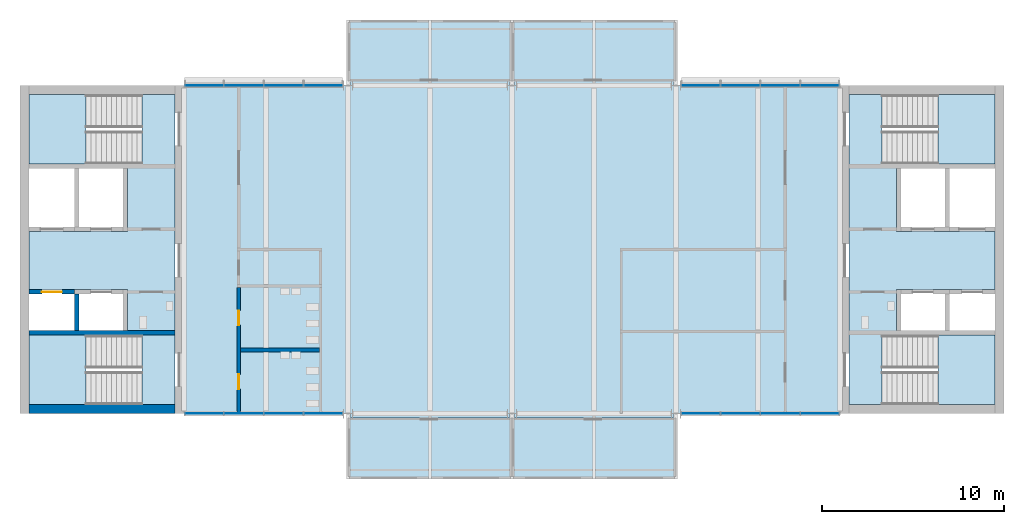
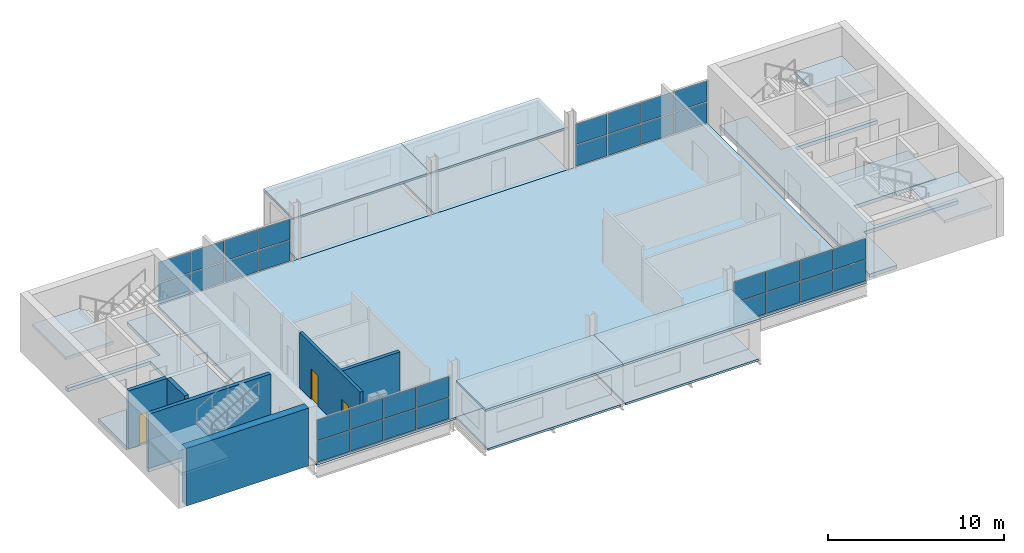
# One storey, part 4 of 10: 32 plates, 15 slabs, 6 walls, 3 doors, 3 openings, 8 elements without a shape of their own.
"""IFC4 building model written with IfcOpenShell, lengths in metres."""

from ifc_helpers import new_model, si_unit, direction, frame, frame_2d, origin, origin_2d, place, context, subcontext, project, spatial, polyline, rectangle, outline, extrude, material, layer, layer_set, type_object, element, fill, aggregate, save


model = new_model("IFC4")

# Units and contexts
model_context = context("Model", 3, precision=1e-05, world=origin(), true_north=direction((0.0, 1.0)))
body_context = subcontext(model_context, "Body", "Model", "MODEL_VIEW")
ifc_project = project(units=[si_unit("LENGTHUNIT", "METRE"), si_unit("AREAUNIT", "SQUARE_METRE"), si_unit("VOLUMEUNIT", "CUBIC_METRE"), si_unit("PLANEANGLEUNIT", "RADIAN"), si_unit("MASSUNIT", "GRAM", prefix="KILO")], contexts=[model_context])

# Site, building, storey
site_placement = place(None, origin())
site = spatial("IfcSite", under=ifc_project, at=site_placement, CompositionType="ELEMENT")
building_placement = place(site_placement, origin())
building = spatial("IfcBuilding", under=site, at=building_placement, Name="Corbel Yard City Hall", CompositionType="ELEMENT")
storey_placement = place(building_placement, frame((0.0, 0.0, 23.199951171875)))
storey = spatial("IfcBuildingStorey", under=building, at=storey_placement, Name="L05", CompositionType="ELEMENT", Elevation=23.199951171875)

# Slabs
ifc_material_1 = material(Name="Concrete N40 (40 MPa)", Category="concrete")
ifc_layer_1 = layer(ifc_material_1, 0.25)
ifc_layer_set_1 = layer_set([ifc_layer_1], Name="Concrete N40 (40 MPa)")
slab_type_1 = type_object("IfcSlabType", Name="CF1", PredefinedType="FLOOR", material=ifc_layer_set_1)
slab_1_placement = place(storey_placement, frame((0.0, 0.0, -0.25)))
element("IfcSlab", 1, at=slab_1_placement, inside=storey, type_object=slab_type_1, Name="Core floor slab", PredefinedType="FLOOR", context=body_context, shape_type="SweptSolid", body=[
    extrude(outline(polyline([(8.5, 116.5), (6.698974609375, 116.5), (6.698974609375, 112.699951171875), (0.5, 112.699951171875), (0.5, 112.449951171875), (5.89990234375, 112.449951171875), (5.89990234375, 109.0), (0.5, 109.0), (0.5, 105.800048828125), (5.89990234375, 105.800048828125), (5.89990234375, 103.550048828125), (0.5, 103.550048828125), (0.5, 103.300048828125), (6.698974609375, 103.300048828125), (6.698974609375, 99.5), (8.5, 99.5), (8.5, 116.5)])), origin(), (0.0, 0.0, 1.0), 0.25),
])
slab_2_placement = place(storey_placement, frame((0.0, 0.0, -0.25)))
element("IfcSlab", 2, at=slab_2_placement, inside=storey, type_object=slab_type_1, Name="Core floor slab", PredefinedType="FLOOR", context=body_context, shape_type="SweptSolid", body=[
    extrude(outline(polyline([(53.5, 103.300048828125), (53.5, 103.550048828125), (48.10009765625, 103.550048828125), (48.10009765625, 105.800048828125), (53.5, 105.800048828125), (53.5, 109.0), (48.10009765625, 109.0), (48.10009765625, 112.449951171875), (53.5, 112.449951171875), (53.5, 112.699951171875), (47.301025390625, 112.699951171875), (47.301025390625, 116.5), (45.5, 116.5), (45.5, 99.5), (47.301025390625, 99.5), (47.301025390625, 103.300048828125), (53.5, 103.300048828125)])), origin(), (0.0, 0.0, 1.0), 0.25),
])
ifc_layer_2 = layer(ifc_material_1, 0.14990234375)
ifc_layer_set_2 = layer_set([ifc_layer_2], Name="Concrete N40 (40 MPa)")
slab_type_2 = type_object("IfcSlabType", Name="Floor slab 150", PredefinedType="FLOOR", material=ifc_layer_set_2)
slab_3_placement = place(storey_placement, frame((0.0, 0.0, -0.14990234375)))
element("IfcSlab", 3, at=slab_3_placement, inside=storey, type_object=slab_type_2, Name="Tower floor slab L05", PredefinedType="FLOOR", context=body_context, shape_type="SweptSolid", body=[
    extrude(outline(polyline([(45.0, 99.0), (45.0, 117.0), (9.0, 117.0), (9.0, 99.0), (45.0, 99.0)])), origin(), (0.0, 0.0, 1.0), 0.14990234375),
])

# Stair, slab
stair_type = type_object("IfcStairType", Name="ST4", PredefinedType="HALF_TURN_STAIR", material=ifc_material_1)
stair_1_placement = place(storey_placement, origin())
stair_1 = element("IfcStair", 4, at=stair_1_placement, inside=storey, type_object=stair_type, Name="Exit stair ST-W1 L05", PredefinedType="HALF_TURN_STAIR")
ifc_layer_3 = layer(ifc_material_1, 0.199951171875)
ifc_layer_set_3 = layer_set([ifc_layer_3], Name="Concrete N40 (40 MPa)")
slab_type_3 = type_object("IfcSlabType", Name="LN1", PredefinedType="LANDING", material=ifc_layer_set_3)
slab_4_placement = place(storey_placement, frame((0.0, 0.0, 1.800048828125)))
slab_4 = element("IfcSlab", 5, at=slab_4_placement, type_object=slab_type_3, Name="ST-W1 landing 1", PredefinedType="LANDING", context=body_context, shape_type="SweptSolid", body=[
    extrude(outline(polyline([(0.5, 99.5), (3.6201171875, 99.5), (3.6201171875, 103.300048828125), (0.5, 103.300048828125), (0.5, 99.5)])), origin(), (0.0, 0.0, 1.0), 0.199951171875),
])
aggregate(stair_1, [slab_4])

stair_2_placement = place(storey_placement, origin())
stair_2 = element("IfcStair", 6, at=stair_2_placement, inside=storey, type_object=stair_type, Name="Exit stair ST-W2 L05", PredefinedType="HALF_TURN_STAIR")
slab_5_placement = place(storey_placement, frame((0.0, 0.0, 1.800048828125)))
slab_5 = element("IfcSlab", 7, at=slab_5_placement, type_object=slab_type_3, Name="ST-W2 landing 1", PredefinedType="LANDING", context=body_context, shape_type="SweptSolid", body=[
    extrude(outline(polyline([(0.5, 112.699951171875), (3.6201171875, 112.699951171875), (3.6201171875, 116.5), (0.5, 116.5), (0.5, 112.699951171875)])), origin(), (0.0, 0.0, 1.0), 0.199951171875),
])
aggregate(stair_2, [slab_5])

stair_3_placement = place(storey_placement, origin())
stair_3 = element("IfcStair", 8, at=stair_3_placement, inside=storey, type_object=stair_type, Name="Exit stair ST-E1 L05", PredefinedType="HALF_TURN_STAIR")
slab_6_placement = place(storey_placement, frame((0.0, 0.0, 1.800048828125)))
slab_6 = element("IfcSlab", 9, at=slab_6_placement, type_object=slab_type_3, Name="ST-E1 landing 1", PredefinedType="LANDING", context=body_context, shape_type="SweptSolid", body=[
    extrude(outline(polyline([(50.3798828125, 99.5), (53.5, 99.5), (53.5, 103.300048828125), (50.3798828125, 103.300048828125), (50.3798828125, 99.5)])), origin(), (0.0, 0.0, 1.0), 0.199951171875),
])
aggregate(stair_3, [slab_6])

stair_4_placement = place(storey_placement, origin())
stair_4 = element("IfcStair", 10, at=stair_4_placement, inside=storey, type_object=stair_type, Name="Exit stair ST-E2 L05", PredefinedType="HALF_TURN_STAIR")
slab_7_placement = place(storey_placement, frame((0.0, 0.0, 1.800048828125)))
slab_7 = element("IfcSlab", 11, at=slab_7_placement, type_object=slab_type_3, Name="ST-E2 landing 1", PredefinedType="LANDING", context=body_context, shape_type="SweptSolid", body=[
    extrude(outline(polyline([(50.3798828125, 112.699951171875), (53.5, 112.699951171875), (53.5, 116.5), (50.3798828125, 116.5), (50.3798828125, 112.699951171875)])), origin(), (0.0, 0.0, 1.0), 0.199951171875),
])
aggregate(stair_4, [slab_7])

# Slabs
ifc_material_2 = material(Name="Concrete N32 (32 MPa)", Category="concrete")
ifc_layer_4 = layer(ifc_material_2, 0.14990234375)
ifc_layer_set_4 = layer_set([ifc_layer_4], Name="Concrete N32 (32 MPa)")
slab_type_4 = type_object("IfcSlabType", Name="PF1", PredefinedType="FLOOR", material=ifc_layer_set_4)
slab_8_placement = place(storey_placement, frame((0.0, 0.0, -0.14990234375)))
element("IfcSlab", 12, at=slab_8_placement, inside=storey, type_object=slab_type_4, Name="Pod floor slab L05", PredefinedType="FLOOR", context=body_context, shape_type="SweptSolid", body=[
    extrude(outline(polyline([(18.14990234375, 95.39990234375), (26.85009765625, 95.39990234375), (26.85009765625, 99.0), (18.14990234375, 99.0), (18.14990234375, 95.39990234375)])), origin(), (0.0, 0.0, 1.0), 0.14990234375),
])
slab_9_placement = place(storey_placement, frame((0.0, 0.0, -0.14990234375)))
element("IfcSlab", 13, at=slab_9_placement, inside=storey, type_object=slab_type_4, Name="Pod floor slab L05", PredefinedType="FLOOR", context=body_context, shape_type="SweptSolid", body=[
    extrude(outline(polyline([(27.14990234375, 95.39990234375), (35.85009765625, 95.39990234375), (35.85009765625, 99.0), (27.14990234375, 99.0), (27.14990234375, 95.39990234375)])), origin(), (0.0, 0.0, 1.0), 0.14990234375),
])
slab_10_placement = place(storey_placement, frame((0.0, 0.0, -0.14990234375)))
element("IfcSlab", 14, at=slab_10_placement, inside=storey, type_object=slab_type_4, Name="Pod floor slab L05", PredefinedType="FLOOR", context=body_context, shape_type="SweptSolid", body=[
    extrude(outline(polyline([(18.14990234375, 117.0), (26.85009765625, 117.0), (26.85009765625, 120.60009765625), (18.14990234375, 120.60009765625), (18.14990234375, 117.0)])), origin(), (0.0, 0.0, 1.0), 0.14990234375),
])
slab_11_placement = place(storey_placement, frame((0.0, 0.0, -0.14990234375)))
element("IfcSlab", 15, at=slab_11_placement, inside=storey, type_object=slab_type_4, Name="Pod floor slab L05", PredefinedType="FLOOR", context=body_context, shape_type="SweptSolid", body=[
    extrude(outline(polyline([(27.14990234375, 117.0), (35.85009765625, 117.0), (35.85009765625, 120.60009765625), (27.14990234375, 120.60009765625), (27.14990234375, 117.0)])), origin(), (0.0, 0.0, 1.0), 0.14990234375),
])
ifc_layer_5 = layer(ifc_material_2, 0.14990234375)
ifc_layer_set_5 = layer_set([ifc_layer_5], Name="Concrete N32 (32 MPa)")
slab_type_5 = type_object("IfcSlabType", Name="PH1", PredefinedType="ROOF", material=ifc_layer_set_5)
slab_12_placement = place(storey_placement, frame((0.0, 0.0, 2.60009765625)))
element("IfcSlab", 16, at=slab_12_placement, inside=storey, type_object=slab_type_5, Name="Pod roof slab L05", PredefinedType="ROOF", context=body_context, shape_type="SweptSolid", body=[
    extrude(outline(polyline([(18.0, 95.39990234375), (27.0, 95.39990234375), (27.0, 98.75), (18.0, 98.75), (18.0, 95.39990234375)])), origin(), (0.0, 0.0, 1.0), 0.14990234375),
])
slab_13_placement = place(storey_placement, frame((0.0, 0.0, 2.60009765625)))
element("IfcSlab", 17, at=slab_13_placement, inside=storey, type_object=slab_type_5, Name="Pod roof slab L05", PredefinedType="ROOF", context=body_context, shape_type="SweptSolid", body=[
    extrude(outline(polyline([(27.0, 95.39990234375), (36.0, 95.39990234375), (36.0, 98.75), (27.0, 98.75), (27.0, 95.39990234375)])), origin(), (0.0, 0.0, 1.0), 0.14990234375),
])
slab_14_placement = place(storey_placement, frame((0.0, 0.0, 2.60009765625)))
element("IfcSlab", 18, at=slab_14_placement, inside=storey, type_object=slab_type_5, Name="Pod roof slab L05", PredefinedType="ROOF", context=body_context, shape_type="SweptSolid", body=[
    extrude(outline(polyline([(18.0, 120.60009765625), (18.0, 117.25), (27.0, 117.25), (27.0, 120.60009765625), (18.0, 120.60009765625)])), origin(), (0.0, 0.0, 1.0), 0.14990234375),
])
slab_15_placement = place(storey_placement, frame((0.0, 0.0, 2.60009765625)))
element("IfcSlab", 19, at=slab_15_placement, inside=storey, type_object=slab_type_5, Name="Pod roof slab L05", PredefinedType="ROOF", context=body_context, shape_type="SweptSolid", body=[
    extrude(outline(polyline([(27.0, 120.60009765625), (27.0, 117.25), (36.0, 117.25), (36.0, 120.60009765625), (27.0, 120.60009765625)])), origin(), (0.0, 0.0, 1.0), 0.14990234375),
])

# Curtain wall, plates
ifc_material_3 = material(Name="Aluminium extrusion", Category="aluminium")
ifc_layer_6 = layer(ifc_material_3, 0.14990234375)
ifc_layer_set_6 = layer_set([ifc_layer_6], Name="Aluminium extrusion")
curtain_wall_type_1 = type_object("IfcCurtainWallType", Name="CW2", PredefinedType="USERDEFINED", material=ifc_layer_set_6)
curtain_wall_1_placement = place(storey_placement, origin())
curtain_wall_1 = element("IfcCurtainWall", 20, at=curtain_wall_1_placement, inside=storey, type_object=curtain_wall_type_1, Name="Curtain wall CW2 L05", ObjectType="CURTAIN WALL", PredefinedType="USERDEFINED")
ifc_material_4 = material(Name="Double glazed low-e glass unit", Category="glass")
ifc_layer_7 = layer(ifc_material_4, 0.028076171875)
ifc_layer_set_7 = layer_set([ifc_layer_7], Name="Double glazed low-e glass unit")
plate_type_1 = type_object("IfcPlateType", Name="PN2", PredefinedType="CURTAIN_PANEL", material=ifc_layer_set_7)
plate_1_placement = place(storey_placement, frame((10.109130859375, 99.0, 0.06494140625), z_axis=(0.0, 0.0, 1.0), x_axis=(1.0, 0.0, 0.0)))
plate_1 = element("IfcPlate", 21, at=plate_1_placement, type_object=plate_type_1, Name="CW2 panel 1.1", PredefinedType="CURTAIN_PANEL", context=body_context, shape_type="SweptSolid", body=[
    extrude(rectangle(XDim=2.088134765625, YDim=0.028076171875, at=origin_2d()), origin(), (0.0, 0.0, 1.0), 1.422607421875),
])
plate_2_placement = place(storey_placement, frame((10.109130859375, 99.0, 1.552734375), z_axis=(0.0, 0.0, 1.0), x_axis=(1.0, 0.0, 0.0)))
plate_2 = element("IfcPlate", 22, at=plate_2_placement, type_object=plate_type_1, Name="CW2 panel 1.2", PredefinedType="CURTAIN_PANEL", context=body_context, shape_type="SweptSolid", body=[
    extrude(rectangle(XDim=2.088134765625, YDim=0.028076171875, at=origin_2d()), origin(), (0.0, 0.0, 1.0), 1.422607421875),
])
plate_3_placement = place(storey_placement, frame((12.278564453125, 99.0, 0.06494140625), z_axis=(0.0, 0.0, 1.0), x_axis=(1.0, 0.0, 0.0)))
plate_3 = element("IfcPlate", 23, at=plate_3_placement, type_object=plate_type_1, Name="CW2 panel 2.1", PredefinedType="CURTAIN_PANEL", context=body_context, shape_type="SweptSolid", body=[
    extrude(rectangle(XDim=2.120849609375, YDim=0.028076171875, at=origin_2d()), origin(), (0.0, 0.0, 1.0), 1.422607421875),
])
plate_4_placement = place(storey_placement, frame((12.278564453125, 99.0, 1.552734375), z_axis=(0.0, 0.0, 1.0), x_axis=(1.0, 0.0, 0.0)))
plate_4 = element("IfcPlate", 24, at=plate_4_placement, type_object=plate_type_1, Name="CW2 panel 2.2", PredefinedType="CURTAIN_PANEL", context=body_context, shape_type="SweptSolid", body=[
    extrude(rectangle(XDim=2.120849609375, YDim=0.028076171875, at=origin_2d()), origin(), (0.0, 0.0, 1.0), 1.422607421875),
])
plate_5_placement = place(storey_placement, frame((14.46435546875, 99.0, 0.06494140625), z_axis=(0.0, 0.0, 1.0), x_axis=(1.0, 0.0, 0.0)))
plate_5 = element("IfcPlate", 25, at=plate_5_placement, type_object=plate_type_1, Name="CW2 panel 3.1", PredefinedType="CURTAIN_PANEL", context=body_context, shape_type="SweptSolid", body=[
    extrude(rectangle(XDim=2.120849609375, YDim=0.028076171875, at=origin_2d()), origin(), (0.0, 0.0, 1.0), 1.422607421875),
])
plate_6_placement = place(storey_placement, frame((14.46435546875, 99.0, 1.552734375), z_axis=(0.0, 0.0, 1.0), x_axis=(1.0, 0.0, 0.0)))
plate_6 = element("IfcPlate", 26, at=plate_6_placement, type_object=plate_type_1, Name="CW2 panel 3.2", PredefinedType="CURTAIN_PANEL", context=body_context, shape_type="SweptSolid", body=[
    extrude(rectangle(XDim=2.120849609375, YDim=0.028076171875, at=origin_2d()), origin(), (0.0, 0.0, 1.0), 1.422607421875),
])
plate_7_placement = place(storey_placement, frame((16.6337890625, 99.0, 0.06494140625), z_axis=(0.0, 0.0, 1.0), x_axis=(1.0, 0.0, 0.0)))
plate_7 = element("IfcPlate", 27, at=plate_7_placement, type_object=plate_type_1, Name="CW2 panel 4.1", PredefinedType="CURTAIN_PANEL", context=body_context, shape_type="SweptSolid", body=[
    extrude(rectangle(XDim=2.088134765625, YDim=0.028076171875, at=origin_2d()), origin(), (0.0, 0.0, 1.0), 1.422607421875),
])
plate_8_placement = place(storey_placement, frame((16.6337890625, 99.0, 1.552734375), z_axis=(0.0, 0.0, 1.0), x_axis=(1.0, 0.0, 0.0)))
plate_8 = element("IfcPlate", 28, at=plate_8_placement, type_object=plate_type_1, Name="CW2 panel 4.2", PredefinedType="CURTAIN_PANEL", context=body_context, shape_type="SweptSolid", body=[
    extrude(rectangle(XDim=2.088134765625, YDim=0.028076171875, at=origin_2d()), origin(), (0.0, 0.0, 1.0), 1.422607421875),
])
aggregate(curtain_wall_1, [plate_1, plate_2, plate_3, plate_4, plate_5, plate_6, plate_7, plate_8])

curtain_wall_2_placement = place(storey_placement, origin())
curtain_wall_2 = element("IfcCurtainWall", 29, at=curtain_wall_2_placement, inside=storey, type_object=curtain_wall_type_1, Name="Curtain wall CW2 L05", ObjectType="CURTAIN WALL", PredefinedType="USERDEFINED")
plate_9_placement = place(storey_placement, frame((37.3662109375, 99.0, 0.06494140625), z_axis=(0.0, 0.0, 1.0), x_axis=(1.0, 0.0, 0.0)))
plate_9 = element("IfcPlate", 30, at=plate_9_placement, type_object=plate_type_1, Name="CW2 panel 1.1", PredefinedType="CURTAIN_PANEL", context=body_context, shape_type="SweptSolid", body=[
    extrude(rectangle(XDim=2.088134765625, YDim=0.028076171875, at=origin_2d()), origin(), (0.0, 0.0, 1.0), 1.422607421875),
])
plate_10_placement = place(storey_placement, frame((37.3662109375, 99.0, 1.552734375), z_axis=(0.0, 0.0, 1.0), x_axis=(1.0, 0.0, 0.0)))
plate_10 = element("IfcPlate", 31, at=plate_10_placement, type_object=plate_type_1, Name="CW2 panel 1.2", PredefinedType="CURTAIN_PANEL", context=body_context, shape_type="SweptSolid", body=[
    extrude(rectangle(XDim=2.088134765625, YDim=0.028076171875, at=origin_2d()), origin(), (0.0, 0.0, 1.0), 1.422607421875),
])
plate_11_placement = place(storey_placement, frame((39.53564453125, 99.0, 0.06494140625), z_axis=(0.0, 0.0, 1.0), x_axis=(1.0, 0.0, 0.0)))
plate_11 = element("IfcPlate", 32, at=plate_11_placement, type_object=plate_type_1, Name="CW2 panel 2.1", PredefinedType="CURTAIN_PANEL", context=body_context, shape_type="SweptSolid", body=[
    extrude(rectangle(XDim=2.120849609375, YDim=0.028076171875, at=origin_2d()), origin(), (0.0, 0.0, 1.0), 1.422607421875),
])
plate_12_placement = place(storey_placement, frame((39.53564453125, 99.0, 1.552734375), z_axis=(0.0, 0.0, 1.0), x_axis=(1.0, 0.0, 0.0)))
plate_12 = element("IfcPlate", 33, at=plate_12_placement, type_object=plate_type_1, Name="CW2 panel 2.2", PredefinedType="CURTAIN_PANEL", context=body_context, shape_type="SweptSolid", body=[
    extrude(rectangle(XDim=2.120849609375, YDim=0.028076171875, at=origin_2d()), origin(), (0.0, 0.0, 1.0), 1.422607421875),
])
plate_13_placement = place(storey_placement, frame((41.721435546875, 99.0, 0.06494140625), z_axis=(0.0, 0.0, 1.0), x_axis=(1.0, 0.0, 0.0)))
plate_13 = element("IfcPlate", 34, at=plate_13_placement, type_object=plate_type_1, Name="CW2 panel 3.1", PredefinedType="CURTAIN_PANEL", context=body_context, shape_type="SweptSolid", body=[
    extrude(rectangle(XDim=2.120849609375, YDim=0.028076171875, at=origin_2d()), origin(), (0.0, 0.0, 1.0), 1.422607421875),
])
plate_14_placement = place(storey_placement, frame((41.721435546875, 99.0, 1.552734375), z_axis=(0.0, 0.0, 1.0), x_axis=(1.0, 0.0, 0.0)))
plate_14 = element("IfcPlate", 35, at=plate_14_placement, type_object=plate_type_1, Name="CW2 panel 3.2", PredefinedType="CURTAIN_PANEL", context=body_context, shape_type="SweptSolid", body=[
    extrude(rectangle(XDim=2.120849609375, YDim=0.028076171875, at=origin_2d()), origin(), (0.0, 0.0, 1.0), 1.422607421875),
])
plate_15_placement = place(storey_placement, frame((43.890869140625, 99.0, 0.06494140625), z_axis=(0.0, 0.0, 1.0), x_axis=(1.0, 0.0, 0.0)))
plate_15 = element("IfcPlate", 36, at=plate_15_placement, type_object=plate_type_1, Name="CW2 panel 4.1", PredefinedType="CURTAIN_PANEL", context=body_context, shape_type="SweptSolid", body=[
    extrude(rectangle(XDim=2.088134765625, YDim=0.028076171875, at=origin_2d()), origin(), (0.0, 0.0, 1.0), 1.422607421875),
])
plate_16_placement = place(storey_placement, frame((43.890869140625, 99.0, 1.552734375), z_axis=(0.0, 0.0, 1.0), x_axis=(1.0, 0.0, 0.0)))
plate_16 = element("IfcPlate", 37, at=plate_16_placement, type_object=plate_type_1, Name="CW2 panel 4.2", PredefinedType="CURTAIN_PANEL", context=body_context, shape_type="SweptSolid", body=[
    extrude(rectangle(XDim=2.088134765625, YDim=0.028076171875, at=origin_2d()), origin(), (0.0, 0.0, 1.0), 1.422607421875),
])
aggregate(curtain_wall_2, [plate_9, plate_10, plate_11, plate_12, plate_13, plate_14, plate_15, plate_16])

ifc_layer_8 = layer(ifc_material_3, 0.179931640625)
ifc_layer_set_8 = layer_set([ifc_layer_8], Name="Aluminium extrusion")
curtain_wall_type_2 = type_object("IfcCurtainWallType", Name="CW6", PredefinedType="USERDEFINED", material=ifc_layer_set_8)
curtain_wall_3_placement = place(storey_placement, origin())
curtain_wall_3 = element("IfcCurtainWall", 38, at=curtain_wall_3_placement, inside=storey, type_object=curtain_wall_type_2, Name="Curtain wall CW6 L05", ObjectType="CURTAIN WALL", PredefinedType="USERDEFINED")
ifc_material_5 = material(Name="Double glazed low-e glass unit, ceramic fritted", Category="glass")
ifc_layer_9 = layer(ifc_material_5, 0.02392578125)
ifc_layer_set_9 = layer_set([ifc_layer_9], Name="Double glazed low-e glass unit, ceramic fritted")
plate_type_2 = type_object("IfcPlateType", Name="PN7", PredefinedType="CURTAIN_PANEL", material=ifc_layer_set_9)
plate_17_placement = place(storey_placement, frame((10.109130859375, 117.0, 0.06494140625), z_axis=(0.0, 0.0, 1.0), x_axis=(1.0, 0.0, 0.0)))
plate_17 = element("IfcPlate", 39, at=plate_17_placement, type_object=plate_type_2, Name="CW6 panel 1.1", PredefinedType="CURTAIN_PANEL", context=body_context, shape_type="SweptSolid", body=[
    extrude(rectangle(XDim=2.088134765625, YDim=0.02392578125, at=origin_2d()), origin(), (0.0, 0.0, 1.0), 1.422607421875),
])
plate_18_placement = place(storey_placement, frame((10.109130859375, 117.0, 1.552734375), z_axis=(0.0, 0.0, 1.0), x_axis=(1.0, 0.0, 0.0)))
plate_18 = element("IfcPlate", 40, at=plate_18_placement, type_object=plate_type_2, Name="CW6 panel 1.2", PredefinedType="CURTAIN_PANEL", context=body_context, shape_type="SweptSolid", body=[
    extrude(rectangle(XDim=2.088134765625, YDim=0.02392578125, at=origin_2d()), origin(), (0.0, 0.0, 1.0), 1.422607421875),
])
plate_19_placement = place(storey_placement, frame((12.278564453125, 117.0, 0.06494140625), z_axis=(0.0, 0.0, 1.0), x_axis=(1.0, 0.0, 0.0)))
plate_19 = element("IfcPlate", 41, at=plate_19_placement, type_object=plate_type_2, Name="CW6 panel 2.1", PredefinedType="CURTAIN_PANEL", context=body_context, shape_type="SweptSolid", body=[
    extrude(rectangle(XDim=2.120849609375, YDim=0.02392578125, at=origin_2d()), origin(), (0.0, 0.0, 1.0), 1.422607421875),
])
plate_20_placement = place(storey_placement, frame((12.278564453125, 117.0, 1.552734375), z_axis=(0.0, 0.0, 1.0), x_axis=(1.0, 0.0, 0.0)))
plate_20 = element("IfcPlate", 42, at=plate_20_placement, type_object=plate_type_2, Name="CW6 panel 2.2", PredefinedType="CURTAIN_PANEL", context=body_context, shape_type="SweptSolid", body=[
    extrude(rectangle(XDim=2.120849609375, YDim=0.02392578125, at=origin_2d()), origin(), (0.0, 0.0, 1.0), 1.422607421875),
])
plate_21_placement = place(storey_placement, frame((14.46435546875, 117.0, 0.06494140625), z_axis=(0.0, 0.0, 1.0), x_axis=(1.0, 0.0, 0.0)))
plate_21 = element("IfcPlate", 43, at=plate_21_placement, type_object=plate_type_2, Name="CW6 panel 3.1", PredefinedType="CURTAIN_PANEL", context=body_context, shape_type="SweptSolid", body=[
    extrude(rectangle(XDim=2.120849609375, YDim=0.02392578125, at=origin_2d()), origin(), (0.0, 0.0, 1.0), 1.422607421875),
])
plate_22_placement = place(storey_placement, frame((14.46435546875, 117.0, 1.552734375), z_axis=(0.0, 0.0, 1.0), x_axis=(1.0, 0.0, 0.0)))
plate_22 = element("IfcPlate", 44, at=plate_22_placement, type_object=plate_type_2, Name="CW6 panel 3.2", PredefinedType="CURTAIN_PANEL", context=body_context, shape_type="SweptSolid", body=[
    extrude(rectangle(XDim=2.120849609375, YDim=0.02392578125, at=origin_2d()), origin(), (0.0, 0.0, 1.0), 1.422607421875),
])
plate_23_placement = place(storey_placement, frame((16.6337890625, 117.0, 0.06494140625), z_axis=(0.0, 0.0, 1.0), x_axis=(1.0, 0.0, 0.0)))
plate_23 = element("IfcPlate", 45, at=plate_23_placement, type_object=plate_type_2, Name="CW6 panel 4.1", PredefinedType="CURTAIN_PANEL", context=body_context, shape_type="SweptSolid", body=[
    extrude(rectangle(XDim=2.088134765625, YDim=0.02392578125, at=origin_2d()), origin(), (0.0, 0.0, 1.0), 1.422607421875),
])
plate_24_placement = place(storey_placement, frame((16.6337890625, 117.0, 1.552734375), z_axis=(0.0, 0.0, 1.0), x_axis=(1.0, 0.0, 0.0)))
plate_24 = element("IfcPlate", 46, at=plate_24_placement, type_object=plate_type_2, Name="CW6 panel 4.2", PredefinedType="CURTAIN_PANEL", context=body_context, shape_type="SweptSolid", body=[
    extrude(rectangle(XDim=2.088134765625, YDim=0.02392578125, at=origin_2d()), origin(), (0.0, 0.0, 1.0), 1.422607421875),
])
aggregate(curtain_wall_3, [plate_17, plate_18, plate_19, plate_20, plate_21, plate_22, plate_23, plate_24])

curtain_wall_4_placement = place(storey_placement, origin())
curtain_wall_4 = element("IfcCurtainWall", 47, at=curtain_wall_4_placement, inside=storey, type_object=curtain_wall_type_2, Name="Curtain wall CW6 L05", ObjectType="CURTAIN WALL", PredefinedType="USERDEFINED")
plate_25_placement = place(storey_placement, frame((37.3662109375, 117.0, 0.06494140625), z_axis=(0.0, 0.0, 1.0), x_axis=(1.0, 0.0, 0.0)))
plate_25 = element("IfcPlate", 48, at=plate_25_placement, type_object=plate_type_2, Name="CW6 panel 1.1", PredefinedType="CURTAIN_PANEL", context=body_context, shape_type="SweptSolid", body=[
    extrude(rectangle(XDim=2.088134765625, YDim=0.02392578125, at=origin_2d()), origin(), (0.0, 0.0, 1.0), 1.422607421875),
])
plate_26_placement = place(storey_placement, frame((37.3662109375, 117.0, 1.552734375), z_axis=(0.0, 0.0, 1.0), x_axis=(1.0, 0.0, 0.0)))
plate_26 = element("IfcPlate", 49, at=plate_26_placement, type_object=plate_type_2, Name="CW6 panel 1.2", PredefinedType="CURTAIN_PANEL", context=body_context, shape_type="SweptSolid", body=[
    extrude(rectangle(XDim=2.088134765625, YDim=0.02392578125, at=origin_2d()), origin(), (0.0, 0.0, 1.0), 1.422607421875),
])
plate_27_placement = place(storey_placement, frame((39.53564453125, 117.0, 0.06494140625), z_axis=(0.0, 0.0, 1.0), x_axis=(1.0, 0.0, 0.0)))
plate_27 = element("IfcPlate", 50, at=plate_27_placement, type_object=plate_type_2, Name="CW6 panel 2.1", PredefinedType="CURTAIN_PANEL", context=body_context, shape_type="SweptSolid", body=[
    extrude(rectangle(XDim=2.120849609375, YDim=0.02392578125, at=origin_2d()), origin(), (0.0, 0.0, 1.0), 1.422607421875),
])
plate_28_placement = place(storey_placement, frame((39.53564453125, 117.0, 1.552734375), z_axis=(0.0, 0.0, 1.0), x_axis=(1.0, 0.0, 0.0)))
plate_28 = element("IfcPlate", 51, at=plate_28_placement, type_object=plate_type_2, Name="CW6 panel 2.2", PredefinedType="CURTAIN_PANEL", context=body_context, shape_type="SweptSolid", body=[
    extrude(rectangle(XDim=2.120849609375, YDim=0.02392578125, at=origin_2d()), origin(), (0.0, 0.0, 1.0), 1.422607421875),
])
plate_29_placement = place(storey_placement, frame((41.721435546875, 117.0, 0.06494140625), z_axis=(0.0, 0.0, 1.0), x_axis=(1.0, 0.0, 0.0)))
plate_29 = element("IfcPlate", 52, at=plate_29_placement, type_object=plate_type_2, Name="CW6 panel 3.1", PredefinedType="CURTAIN_PANEL", context=body_context, shape_type="SweptSolid", body=[
    extrude(rectangle(XDim=2.120849609375, YDim=0.02392578125, at=origin_2d()), origin(), (0.0, 0.0, 1.0), 1.422607421875),
])
plate_30_placement = place(storey_placement, frame((41.721435546875, 117.0, 1.552734375), z_axis=(0.0, 0.0, 1.0), x_axis=(1.0, 0.0, 0.0)))
plate_30 = element("IfcPlate", 53, at=plate_30_placement, type_object=plate_type_2, Name="CW6 panel 3.2", PredefinedType="CURTAIN_PANEL", context=body_context, shape_type="SweptSolid", body=[
    extrude(rectangle(XDim=2.120849609375, YDim=0.02392578125, at=origin_2d()), origin(), (0.0, 0.0, 1.0), 1.422607421875),
])
plate_31_placement = place(storey_placement, frame((43.890869140625, 117.0, 0.06494140625), z_axis=(0.0, 0.0, 1.0), x_axis=(1.0, 0.0, 0.0)))
plate_31 = element("IfcPlate", 54, at=plate_31_placement, type_object=plate_type_2, Name="CW6 panel 4.1", PredefinedType="CURTAIN_PANEL", context=body_context, shape_type="SweptSolid", body=[
    extrude(rectangle(XDim=2.088134765625, YDim=0.02392578125, at=origin_2d()), origin(), (0.0, 0.0, 1.0), 1.422607421875),
])
plate_32_placement = place(storey_placement, frame((43.890869140625, 117.0, 1.552734375), z_axis=(0.0, 0.0, 1.0), x_axis=(1.0, 0.0, 0.0)))
plate_32 = element("IfcPlate", 55, at=plate_32_placement, type_object=plate_type_2, Name="CW6 panel 4.2", PredefinedType="CURTAIN_PANEL", context=body_context, shape_type="SweptSolid", body=[
    extrude(rectangle(XDim=2.088134765625, YDim=0.02392578125, at=origin_2d()), origin(), (0.0, 0.0, 1.0), 1.422607421875),
])
aggregate(curtain_wall_4, [plate_25, plate_26, plate_27, plate_28, plate_29, plate_30, plate_31, plate_32])

# Walls
ifc_layer_10 = layer(ifc_material_1, 0.25)
ifc_layer_set_10 = layer_set([ifc_layer_10], Name="Concrete N40 (40 MPa)")
wall_type_1 = type_object("IfcWallType", Name="IW2", PredefinedType="SOLIDWALL", material=ifc_layer_set_10)
wall_1_placement = place(storey_placement, frame((8.5, 103.425048828125, 0.0), z_axis=(0.0, 0.0, 1.0), x_axis=(-1.0, 0.0, 0.0)))
element("IfcWall", 56, at=wall_1_placement, inside=storey, type_object=wall_type_1, Name="Stair enclosure wall", PredefinedType="SOLIDWALL", context=body_context, shape_type="SweptSolid", body=[
    extrude(rectangle(XDim=8.0, YDim=0.25, at=frame_2d((4.0, 0.0))), origin(), (0.0, 0.0, 1.0), 3.75),
])
wall_2_placement = place(storey_placement, frame((3.125, 103.550048828125, 0.0), z_axis=(0.0, 0.0, 1.0), x_axis=(0.0, 1.0, 0.0)))
element("IfcWall", 57, at=wall_2_placement, inside=storey, type_object=wall_type_1, Name="Lift LP22 shaft wall", PredefinedType="SOLIDWALL", context=body_context, shape_type="SweptSolid", body=[
    extrude(rectangle(XDim=2.0, YDim=0.25, at=frame_2d((1.0, 0.0))), origin(), (0.0, 0.0, 1.0), 4.0),
])

# Wall, opening, door
wall_3_placement = place(storey_placement, frame((3.0, 105.675048828125, 0.0), z_axis=(0.0, 0.0, 1.0), x_axis=(-1.0, 0.0, 0.0)))
wall_3 = element("IfcWall", 58, at=wall_3_placement, inside=storey, type_object=wall_type_1, Name="Lift LP23 shaft wall", PredefinedType="SOLIDWALL", context=body_context, shape_type="SweptSolid", body=[
    extrude(rectangle(XDim=2.5, YDim=0.25, at=frame_2d((1.25, 0.0))), origin(), (0.0, 0.0, 1.0), 4.0),
])
opening_1_placement = place(wall_3_placement, frame((0.699951171875, 0.0, 0.0)))
opening_1 = element("IfcOpeningElement", 59, at=opening_1_placement, cuts=wall_3, Name="Opening T1-006", PredefinedType="OPENING", context=body_context, shape_type="SweptSolid", body=[
    extrude(rectangle(XDim=1.10009765625, YDim=2.10009765625, at=frame_2d((0.550048828125, 1.050048828125))), frame((0.0, 0.135009765625, 0.0), z_axis=(0.0, -1.0, 0.0), x_axis=(1.0, 0.0, 0.0)), (0.0, 0.0, 1.0), 0.27001953125),
])
ifc_material_6 = material(Name="Stainless steel Grade 316", Category="steel")
door_type_1 = type_object("IfcDoorType", Name="LD1", OperationType="DOUBLE_DOOR_SLIDING", PredefinedType="DOOR", material=ifc_material_6)
door_1_placement = place(opening_1_placement, origin())
door_1 = element("IfcDoor", 60, at=door_1_placement, inside=storey, type_object=door_type_1, Name="Lift LP23 landing door", OperationType="DOUBLE_DOOR_SLIDING", OverallHeight=2.10009765625, OverallWidth=1.10009765625, PredefinedType="DOOR", context=body_context, shape_type="SweptSolid", body=[
    extrude(rectangle(XDim=1.10009765625, YDim=2.10009765625, at=frame_2d((0.550048828125, 1.050048828125))), frame((0.0, 0.02490234375, 0.0), z_axis=(0.0, -1.0, 0.0), x_axis=(1.0, 0.0, 0.0)), (0.0, 0.0, 1.0), 0.050048828125),
])
fill(opening_1, door_1)

# Wall, openings, doors
ifc_material_7 = material(Name="Gypsum plasterboard", Category="gypsum")
ifc_layer_11 = layer(ifc_material_7, 0.031982421875)
ifc_material_8 = material(Name="Steel Grade G550 (550 MPa yield)", Category="steel")
ifc_layer_12 = layer(ifc_material_8, 0.135986328125)
ifc_layer_13 = layer(ifc_material_7, 0.031982421875)
ifc_layer_set_11 = layer_set([ifc_layer_11, ifc_layer_12, ifc_layer_13], Name="Steel Grade G550 (550 MPa yield)")
wall_type_2 = type_object("IfcWallType", Name="PT2", PredefinedType="PARTITIONING", material=ifc_layer_set_11)
wall_4_placement = place(storey_placement, frame((12.0, 99.074951171875, 0.0), z_axis=(0.0, 0.0, 1.0), x_axis=(0.0, 1.0, 0.0)))
wall_4 = element("IfcWall", 61, at=wall_4_placement, inside=storey, type_object=wall_type_2, Name="Acoustic wall", PredefinedType="PARTITIONING", context=body_context, shape_type="SweptSolid", body=[
    extrude(rectangle(XDim=6.844970703125, YDim=0.199951171875, at=frame_2d((3.42236328125, 0.0))), origin(), (0.0, 0.0, 1.0), 3.85009765625),
])
opening_2_placement = place(wall_4_placement, frame((1.27490234375, 0.0, 0.0)))
opening_2 = element("IfcOpeningElement", 62, at=opening_2_placement, cuts=wall_4, Name="Opening T1-013", PredefinedType="OPENING", context=body_context, shape_type="SweptSolid", body=[
    extrude(rectangle(XDim=0.800048828125, YDim=2.10009765625, at=frame_2d((0.39990234375, 1.050048828125))), frame((0.0, 0.10986328125, 0.0), z_axis=(0.0, -1.0, 0.0), x_axis=(1.0, 0.0, 0.0)), (0.0, 0.0, 1.0), 0.219970703125),
])
opening_3_placement = place(wall_4_placement, frame((4.77490234375, 0.0, 0.0)))
opening_3 = element("IfcOpeningElement", 63, at=opening_3_placement, cuts=wall_4, Name="Opening T1-014", PredefinedType="OPENING", context=body_context, shape_type="SweptSolid", body=[
    extrude(rectangle(XDim=0.800048828125, YDim=2.10009765625, at=frame_2d((0.39990234375, 1.050048828125))), frame((0.0, 0.10986328125, 0.0), z_axis=(0.0, -1.0, 0.0), x_axis=(1.0, 0.0, 0.0)), (0.0, 0.0, 1.0), 0.219970703125),
])
ifc_material_9 = material(Name="Timber", Category="wood")
door_type_2 = type_object("IfcDoorType", Name="D44", OperationType="SINGLE_SWING_LEFT", PredefinedType="DOOR", material=ifc_material_9)
door_2_placement = place(opening_2_placement, frame((0.800048828125, 0.0, 0.0), z_axis=(0.0, 0.0, 1.0), x_axis=(-1.0, 0.0, 0.0)))
door_2 = element("IfcDoor", 64, at=door_2_placement, inside=storey, type_object=door_type_2, Name="Door Women's WC 0503", OperationType="SINGLE_SWING_LEFT", OverallHeight=2.10009765625, OverallWidth=0.800048828125, PredefinedType="DOOR", context=body_context, shape_type="SweptSolid", body=[
    extrude(rectangle(XDim=0.800048828125, YDim=2.10009765625, at=frame_2d((0.39990234375, 1.050048828125))), frame((0.0, 0.02490234375, 0.0), z_axis=(0.0, -1.0, 0.0), x_axis=(1.0, 0.0, 0.0)), (0.0, 0.0, 1.0), 0.050048828125),
])
fill(opening_2, door_2)
door_3_placement = place(opening_3_placement, frame((0.800048828125, 0.0, 0.0), z_axis=(0.0, 0.0, 1.0), x_axis=(-1.0, 0.0, 0.0)))
door_3 = element("IfcDoor", 65, at=door_3_placement, inside=storey, type_object=door_type_2, Name="Door Men's WC 0504", OperationType="SINGLE_SWING_RIGHT", OverallHeight=2.10009765625, OverallWidth=0.800048828125, PredefinedType="DOOR", context=body_context, shape_type="SweptSolid", body=[
    extrude(rectangle(XDim=0.800048828125, YDim=2.10009765625, at=frame_2d((0.39990234375, 1.050048828125))), frame((0.0, 0.02490234375, 0.0), z_axis=(0.0, -1.0, 0.0), x_axis=(1.0, 0.0, 0.0)), (0.0, 0.0, 1.0), 0.050048828125),
])
fill(opening_3, door_3)

# Walls
ifc_layer_14 = layer(ifc_material_7, 0.031982421875)
ifc_layer_15 = layer(ifc_material_8, 0.156005859375)
ifc_layer_16 = layer(ifc_material_7, 0.031982421875)
ifc_layer_set_12 = layer_set([ifc_layer_14, ifc_layer_15, ifc_layer_16], Name="Steel Grade G550 (550 MPa yield)")
wall_type_3 = type_object("IfcWallType", Name="PT5", PredefinedType="PLUMBINGWALL", material=ifc_layer_set_12)
wall_5_placement = place(storey_placement, frame((12.10009765625, 102.5, 0.0), z_axis=(0.0, 0.0, 1.0), x_axis=(1.0, 0.0, 0.0)))
element("IfcWall", 66, at=wall_5_placement, inside=storey, type_object=wall_type_3, Name="Wet wall", PredefinedType="PLUMBINGWALL", context=body_context, shape_type="SweptSolid", body=[
    extrude(rectangle(XDim=4.33984375, YDim=0.219970703125, at=frame_2d((2.169921875, 0.0))), origin(), (0.0, 0.0, 1.0), 3.050048828125),
])
ifc_material_10 = material(Name="Concrete N50 (50 MPa)", Category="concrete")
ifc_layer_17 = layer(ifc_material_10, 0.5)
ifc_layer_set_13 = layer_set([ifc_layer_17], Name="Concrete N50 (50 MPa)")
wall_type_4 = type_object("IfcWallType", Name="Trunk wall 500", PredefinedType="SHEAR", material=ifc_layer_set_13)
wall_6_placement = place(storey_placement, frame((0.5, 99.25, 0.0), z_axis=(0.0, 0.0, 1.0), x_axis=(1.0, 0.0, 0.0)))
element("IfcWall", 67, at=wall_6_placement, inside=storey, type_object=wall_type_4, Name="Trunk W south wall", PredefinedType="SHEAR", context=body_context, shape_type="SweptSolid", body=[
    extrude(rectangle(XDim=8.0, YDim=0.5, at=frame_2d((4.0, 0.0))), origin(), (0.0, 0.0, 1.0), 4.0),
])

save(model, "model.ifc")
